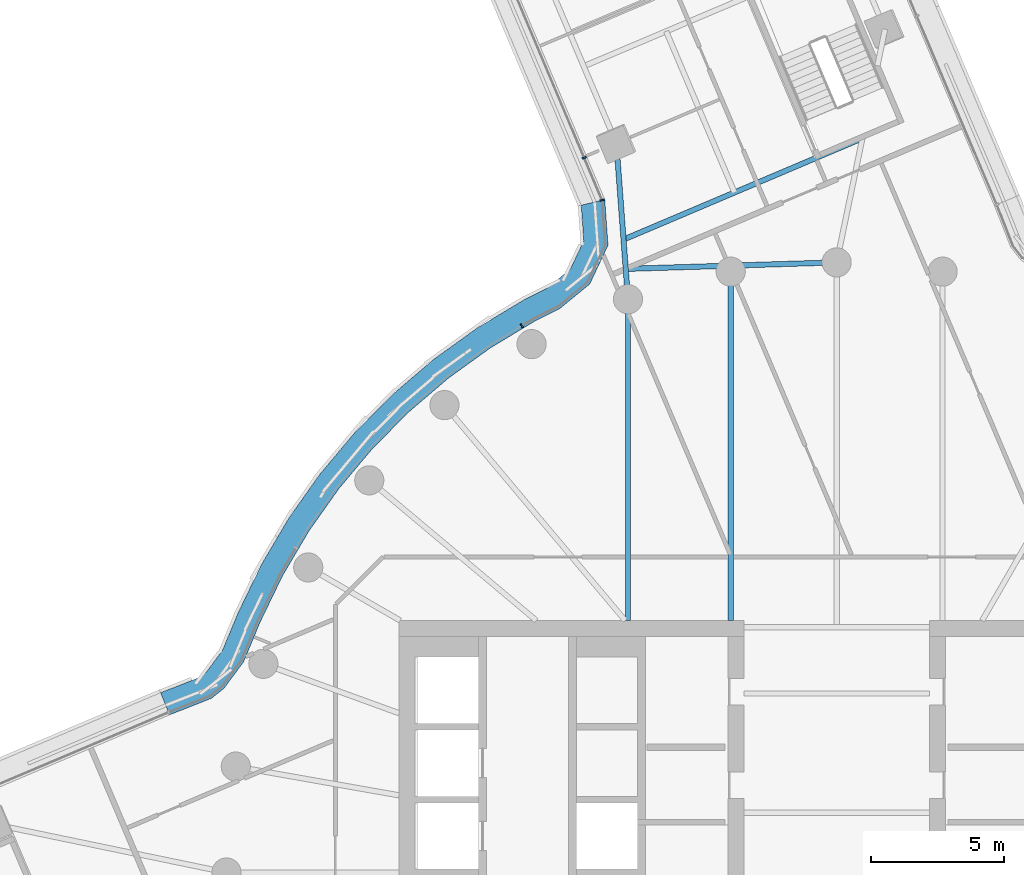
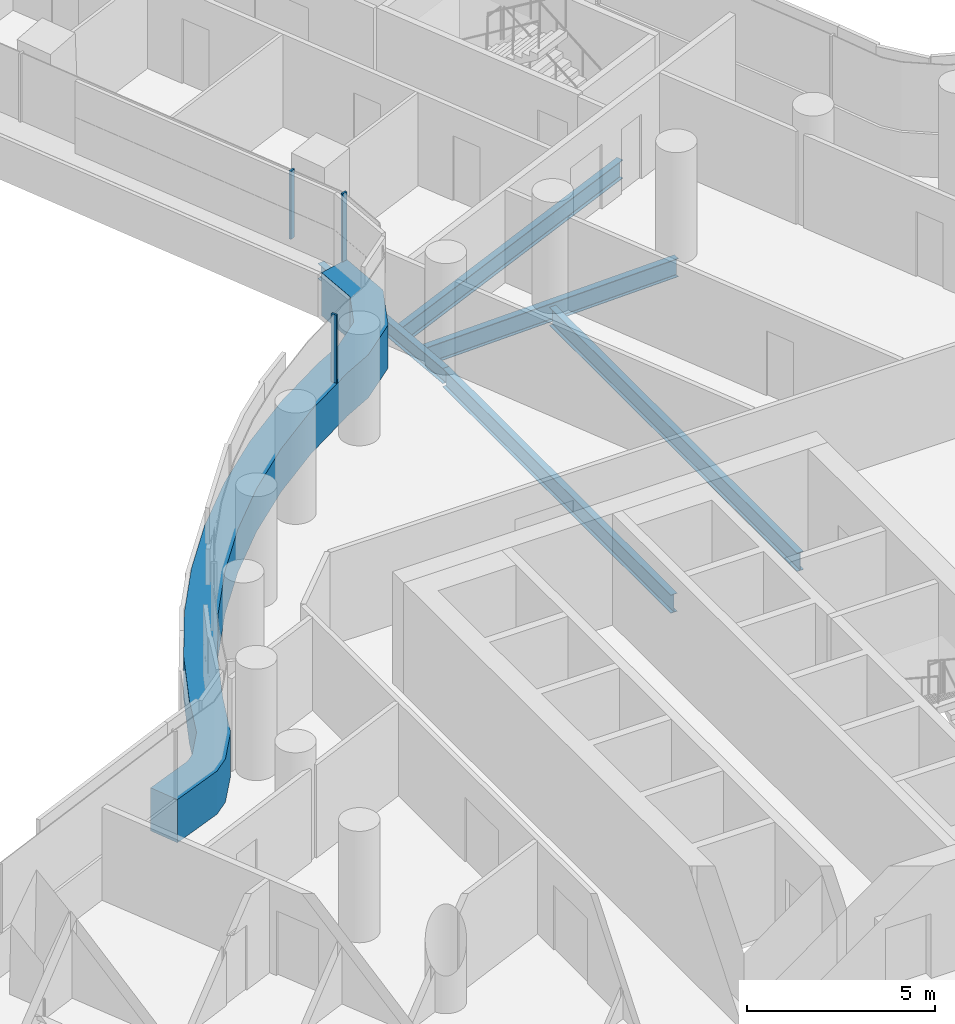
# One storey, part 14 of 35: 5 beams, 4 members, 2 elements without a shape of their own.
"""IFC4 building model written with IfcOpenShell, lengths in metres."""

from ifc_helpers import new_model, si_unit, direction, frame, origin, origin_2d, place, context, subcontext, project, spatial, polyline, rectangle, i_section, outline, extrude, material, layer, layer_set, material_profile, profile_set, type_object, element, aggregate, save


model = new_model("IFC4")

# Units and contexts
model_context = context("Model", 3, precision=1e-05, world=origin(), true_north=direction((0.0, 1.0)))
body_context = subcontext(model_context, "Body", "Model", "MODEL_VIEW")
ifc_project = project(units=[si_unit("LENGTHUNIT", "METRE"), si_unit("AREAUNIT", "SQUARE_METRE"), si_unit("VOLUMEUNIT", "CUBIC_METRE"), si_unit("PLANEANGLEUNIT", "RADIAN"), si_unit("MASSUNIT", "GRAM", prefix="KILO")], contexts=[model_context])

# Site, building, storey
site_placement = place(None, origin())
site = spatial("IfcSite", under=ifc_project, at=site_placement, CompositionType="ELEMENT")
building_placement = place(site_placement, origin())
building = spatial("IfcBuilding", under=site, at=building_placement, Name="Tamarind Cross Interchange Tower", CompositionType="ELEMENT")
storey_placement = place(building_placement, frame((0.0, 0.0, 117.25)))
storey = spatial("IfcBuildingStorey", under=building, at=storey_placement, Name="L28", CompositionType="ELEMENT", Elevation=117.25)

# Beams
ifc_material_1 = material(Name="Steel Q355B", Category="steel")
ifc_material_profile_1 = material_profile(ifc_material_1, i_section(OverallWidth=0.198974609375, OverallDepth=0.49609375, WebThickness=0.009033203125, FlangeThickness=0.013916015625, FilletRadius=0.012939453125, at=origin_2d()), Name="HN 496x199x9x14")
ifc_profile_set_1 = profile_set([ifc_material_profile_1], Name="Steel Q355B")
beam_type_1 = type_object("IfcBeamType", Name="Composite beam HN 496x199x9x14 Q355B", PredefinedType="BEAM", material=ifc_profile_set_1)
beam_1_placement = place(storey_placement, frame((-8.304443359375, 27.4931640625, -0.387939453125), z_axis=(0.074280418696, -0.997237393702, 0.0), x_axis=(0.997237393702, 0.074280418696, 0.0)))
element("IfcBeam", 1, at=beam_1_placement, inside=storey, type_object=beam_type_1, Name="Beam N-linkep", PredefinedType="BEAM", context=body_context, shape_type="SweptSolid", body=[
    extrude(i_section(OverallWidth=0.198974609375, OverallDepth=0.49609375, WebThickness=0.009033203125, FlangeThickness=0.013916015625, FilletRadius=0.012939453125, at=origin_2d()), origin(), (0.0, 0.0, 1.0), 5.896484375),
])
ifc_material_profile_2 = material_profile(ifc_material_1, i_section(OverallWidth=0.198974609375, OverallDepth=0.595947265625, WebThickness=0.010009765625, FlangeThickness=0.014892578125, FilletRadius=0.012939453125, at=origin_2d()), Name="HN 596x199x10x15")
ifc_profile_set_2 = profile_set([ifc_material_profile_2], Name="Steel Q355B")
beam_type_2 = type_object("IfcBeamType", Name="Composite beam HN 596x199x10x15 Q355B", PredefinedType="BEAM", material=ifc_profile_set_2)
beam_2_placement = place(storey_placement, frame((-3.993896484375, 22.650634765625, -0.43798828125), z_axis=(0.0, -1.0, 0.0), x_axis=(1.0, 0.0, 0.0)))
element("IfcBeam", 2, at=beam_2_placement, inside=storey, type_object=beam_type_2, Name="Beam HH10", PredefinedType="BEAM", context=body_context, shape_type="SweptSolid", body=[
    extrude(i_section(OverallWidth=0.198974609375, OverallDepth=0.595947265625, WebThickness=0.010009765625, FlangeThickness=0.014892578125, FilletRadius=0.012939453125, at=origin_2d()), origin(), (0.0, 0.0, 1.0), 13.150634765625),
])
beam_3_placement = place(storey_placement, frame((-7.866455078125, 21.613037109375, -0.43798828125), z_axis=(0.0, -1.0, 0.0), x_axis=(1.0, 0.0, 0.0)))
element("IfcBeam", 3, at=beam_3_placement, inside=storey, type_object=beam_type_2, Name="Beam HH11", PredefinedType="BEAM", context=body_context, shape_type="SweptSolid", body=[
    extrude(i_section(OverallWidth=0.198974609375, OverallDepth=0.595947265625, WebThickness=0.010009765625, FlangeThickness=0.014892578125, FilletRadius=0.012939453125, at=origin_2d()), origin(), (0.0, 0.0, 1.0), 12.113037109375),
])
ifc_material_profile_3 = material_profile(ifc_material_1, i_section(OverallWidth=0.199951171875, OverallDepth=0.60009765625, WebThickness=0.010986328125, FlangeThickness=0.01708984375, FilletRadius=0.012939453125, at=origin_2d()), Name="HN 600x200x11x17")
ifc_profile_set_3 = profile_set([ifc_material_profile_3], Name="Steel Q355B")
beam_type_3 = type_object("IfcBeamType", Name="Composite beam HN 600x200x11x17 Q355B", PredefinedType="BEAM", material=ifc_profile_set_3)
beam_4_placement = place(storey_placement, frame((0.97021484375, 27.679931640625, -0.43994140625), z_axis=(-0.920604080585, -0.390497281437, 0.0), x_axis=(0.390497281437, -0.920604080585, 0.0)))
element("IfcBeam", 4, at=beam_4_placement, inside=storey, type_object=beam_type_3, Name="Beam N-x268", PredefinedType="BEAM", context=body_context, shape_type="SweptSolid", body=[
    extrude(i_section(OverallWidth=0.199951171875, OverallDepth=0.60009765625, WebThickness=0.010986328125, FlangeThickness=0.01708984375, FilletRadius=0.012939453125, at=origin_2d()), origin(), (0.0, 0.0, 1.0), 9.78076171875),
])
beam_5_placement = place(storey_placement, frame((0.0, 23.0, -0.43994140625), z_axis=(-0.999525190734, -0.030812223019, 0.0), x_axis=(0.030812223019, -0.999525190734, 0.0)))
element("IfcBeam", 5, at=beam_5_placement, inside=storey, type_object=beam_type_3, Name="Beam N-x258", PredefinedType="BEAM", context=body_context, shape_type="SweptSolid", body=[
    extrude(i_section(OverallWidth=0.199951171875, OverallDepth=0.60009765625, WebThickness=0.010986328125, FlangeThickness=0.01708984375, FilletRadius=0.012939453125, at=origin_2d()), origin(), (0.0, 0.0, 1.0), 7.955078125),
])

# Curtain wall, member
ifc_material_2 = material(Name="Aluminium 6063-T6", Category="aluminium")
ifc_layer = layer(ifc_material_2, 0.159912109375)
ifc_layer_set = layer_set([ifc_layer], Name="Aluminium 6063-T6")
curtain_wall_type = type_object("IfcCurtainWallType", Name="Office curtain wall, 9.0 m bays", PredefinedType="NOTDEFINED", material=ifc_layer_set)
curtain_wall_1_placement = place(storey_placement, origin())
curtain_wall_1 = element("IfcCurtainWall", 6, at=curtain_wall_1_placement, inside=storey, type_object=curtain_wall_type, Name="CWS-L28-14", PredefinedType="NOTDEFINED")
ifc_material_3 = material(Name="Aluminium and insulated spandrel panel", Category="aluminium")
member_type_1 = type_object("IfcMemberType", Name="Floor-edge blade transom", PredefinedType="USERDEFINED", material=ifc_material_3)
member_1_placement = place(storey_placement, origin())
member_1 = element("IfcMember", 7, at=member_1_placement, type_object=member_type_1, Name="CWT-L28-14", ObjectType="TRANSOM", PredefinedType="USERDEFINED", context=body_context, shape_type="SweptSolid", body=[
    extrude(outline(polyline([(-8.741943359375, 25.37060546875), (-8.61865234375, 23.64501953125), (-9.310791015625, 22.17919921875), (-10.450439453125, 21.2490234375), (-11.366943359375, 20.791259765625), (-13.045654296875, 19.78125), (-14.634521484375, 18.636474609375), (-16.12353515625, 17.3642578125), (-17.50244140625, 15.973388671875), (-18.76171875, 14.4736328125), (-19.892822265625, 12.874755859375), (-20.88818359375, 11.188232421875), (-21.742431640625, 9.42138671875), (-22.358642578125, 7.939453125), (-23.100830078125, 6.93603515625), (-23.5703125, 6.56494140625), (-25.145751953125, 5.943603515625), (-25.486572265625, 6.776611328125), (-24.024169921875, 7.353271484375), (-23.7529296875, 7.567626953125), (-23.1474609375, 8.386474609375), (-22.563720703125, 9.790283203125), (-21.68212890625, 11.613525390625), (-20.64892578125, 13.3642578125), (-19.474853515625, 15.023681640625), (-18.167724609375, 16.580810546875), (-16.736572265625, 18.0244140625), (-15.19091796875, 19.344970703125), (-13.54150390625, 20.533203125), (-11.80078125, 21.580810546875), (-10.942138671875, 22.009521484375), (-10.03759765625, 22.74755859375), (-9.533203125, 23.81591796875), (-9.629150390625, 25.15771484375), (-8.741943359375, 25.37060546875)])), origin(), (0.0, 0.0, 1.0), 1.39990234375),
])

curtain_wall_2_placement = place(storey_placement, origin())
curtain_wall_2 = element("IfcCurtainWall", 8, at=curtain_wall_2_placement, inside=storey, type_object=curtain_wall_type, Name="CWS-L28-13", PredefinedType="NOTDEFINED")
ifc_material_profile_4 = material_profile(ifc_material_2, rectangle(XDim=0.06005859375, YDim=0.159912109375, at=origin_2d()), Name="Mullion CW1")
ifc_profile_set_4 = profile_set([ifc_material_profile_4], Name="Aluminium 6063-T6")
member_type_2 = type_object("IfcMemberType", Name="Mullion CW1", PredefinedType="MULLION", material=ifc_profile_set_4)
member_2_placement = place(storey_placement, frame((-9.514892578125, 26.944091796875, 1.39990234375), z_axis=(0.0, 0.0, 1.0), x_axis=(0.388938701154, -0.921263635853, 0.0)))
member_2 = element("IfcMember", 9, at=member_2_placement, type_object=member_type_2, Name="CWM-L28-13-02", PredefinedType="MULLION", context=body_context, shape_type="SweptSolid", body=[
    extrude(rectangle(XDim=0.06005859375, YDim=0.159912109375, at=origin_2d()), origin(), (0.0, 0.0, 1.0), 2.210205078125),
])
aggregate(curtain_wall_2, [member_2])

# Member
member_3_placement = place(storey_placement, frame((-8.840576171875, 25.346923828125, 1.39990234375), z_axis=(0.0, 0.0, 1.0), x_axis=(0.233232407545, -0.972421022022, 0.0)))
member_3 = element("IfcMember", 10, at=member_3_placement, type_object=member_type_2, Name="CWM-L28-14-00", PredefinedType="MULLION", context=body_context, shape_type="SweptSolid", body=[
    extrude(rectangle(XDim=0.06005859375, YDim=0.159912109375, at=origin_2d()), origin(), (0.0, 0.0, 1.0), 2.210205078125),
])

member_4_placement = place(storey_placement, frame((-11.868896484375, 20.60595703125, 1.39990234375), z_axis=(0.0, 0.0, 1.0), x_axis=(-0.856843065292, -0.515577308909, 0.0)))
member_4 = element("IfcMember", 11, at=member_4_placement, type_object=member_type_2, Name="CWM-L28-14-01", PredefinedType="MULLION", context=body_context, shape_type="SweptSolid", body=[
    extrude(rectangle(XDim=0.06005859375, YDim=0.159912109375, at=origin_2d()), origin(), (0.0, 0.0, 1.0), 2.210205078125),
])

aggregate(curtain_wall_1, [member_3, member_4, member_1])

save(model, "model.ifc")
